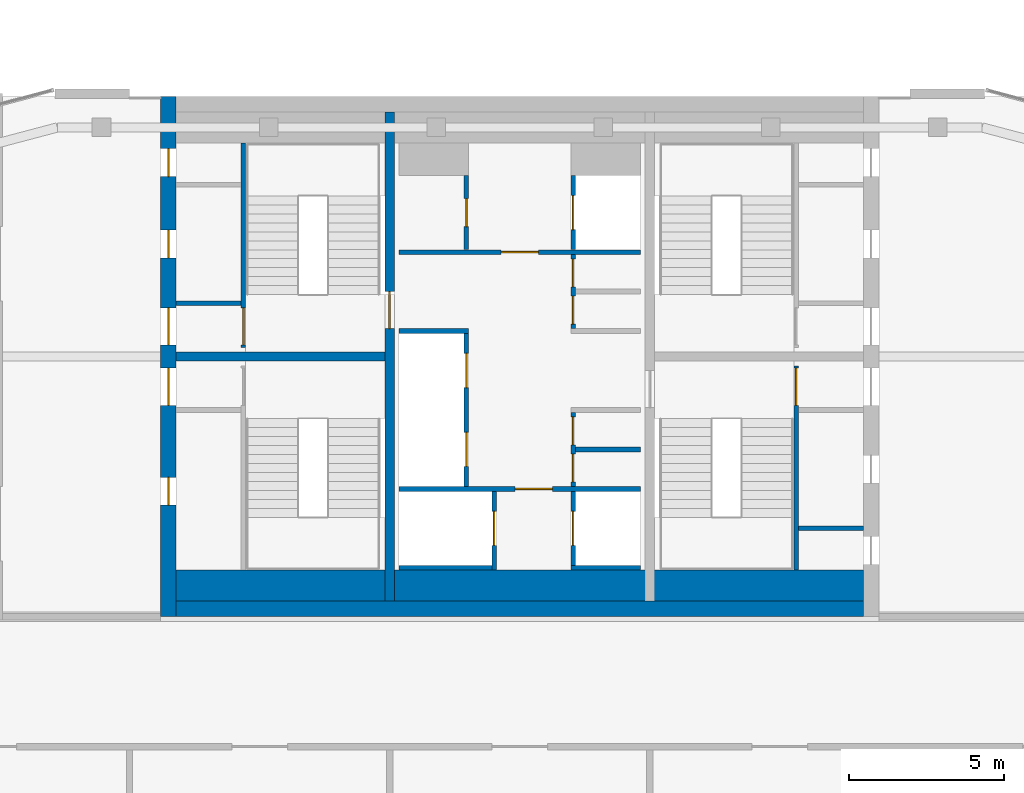
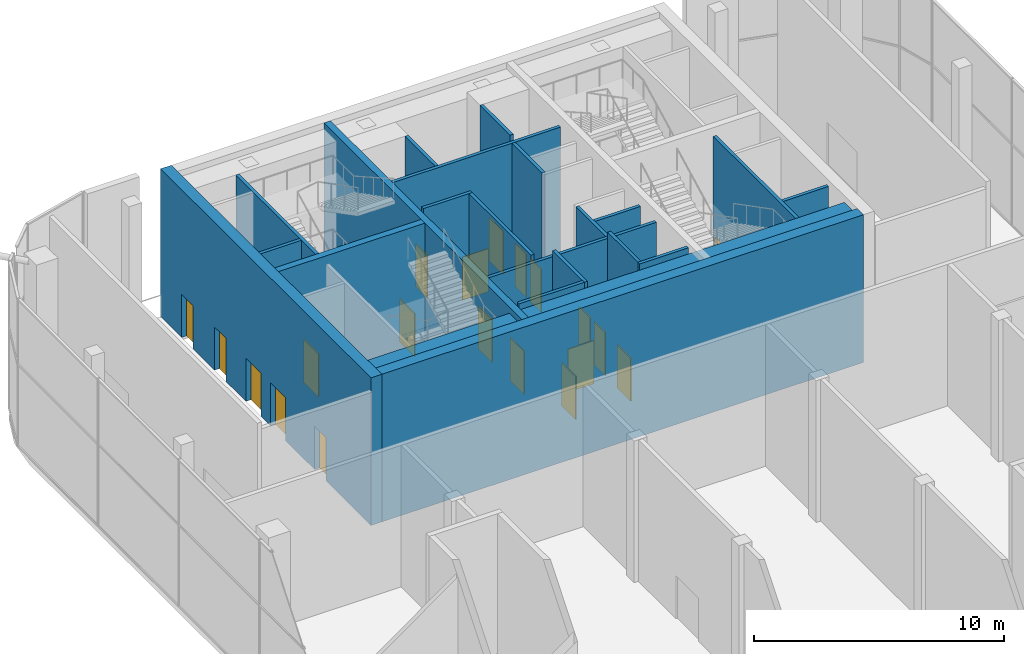
# One storey, part 19 of 23: 22 walls, 20 doors, 20 openings.
"""IFC4 building model written with IfcOpenShell, lengths in metres."""

from ifc_helpers import new_model, si_unit, direction, frame, frame_2d, origin, place, context, subcontext, project, spatial, rectangle, extrude, material, layer, layer_set, type_object, element, fill, save


model = new_model("IFC4")

# Units and contexts
model_context = context("Model", 3, precision=1e-05, world=origin(), true_north=direction((0.0, 1.0)))
body_context = subcontext(model_context, "Body", "Model", "MODEL_VIEW")
ifc_project = project(units=[si_unit("LENGTHUNIT", "METRE"), si_unit("AREAUNIT", "SQUARE_METRE"), si_unit("VOLUMEUNIT", "CUBIC_METRE"), si_unit("PLANEANGLEUNIT", "RADIAN"), si_unit("MASSUNIT", "GRAM", prefix="KILO")], contexts=[model_context])

# Site, building, storey
site_placement = place(None, origin())
site = spatial("IfcSite", under=ifc_project, at=site_placement, CompositionType="ELEMENT")
building_placement = place(site_placement, origin())
building = spatial("IfcBuilding", under=site, at=building_placement, Name="Marenta Gate Hotel Tower", CompositionType="ELEMENT")
storey_placement = place(building_placement, frame((0.0, 0.0, 288.5)))
storey = spatial("IfcBuildingStorey", under=building, at=storey_placement, Name="L66", CompositionType="ELEMENT", Elevation=288.5)

# Wall
ifc_material_1 = material(Name="Concrete C40", Category="concrete")
ifc_layer_1 = layer(ifc_material_1, 1.0)
ifc_layer_set_1 = layer_set([ifc_layer_1], Name="Concrete C40")
wall_type_1 = type_object("IfcWallType", Name="Core lining wall 1000 REI 180", PredefinedType="PARTITIONING", material=ifc_layer_set_1)
wall_1_placement = place(storey_placement, frame((-11.10009765625, 1.0, 0.0), z_axis=(0.0, 0.0, 1.0), x_axis=(1.0, 0.0, 0.0)))
element("IfcWall", 1, at=wall_1_placement, inside=storey, type_object=wall_type_1, Name="L66-CP-LN-S", PredefinedType="PARTITIONING", context=body_context, shape_type="SweptSolid", body=[
    extrude(rectangle(XDim=22.2001953125, YDim=1.0, at=frame_2d((11.10009765625, 0.0))), origin(), (0.0, 0.0, 1.0), 6.89990234375),
])

# Wall, opening, door
ifc_material_2 = material(Name="Concrete blockwork", Category="masonry")
ifc_layer_2 = layer(ifc_material_2, 0.14990234375)
ifc_layer_set_2 = layer_set([ifc_layer_2], Name="Concrete blockwork")
wall_type_2 = type_object("IfcWallType", Name="Core lobby partition 150 REI 180", PredefinedType="PARTITIONING", material=ifc_layer_set_2)
wall_2_placement = place(storey_placement, frame((-3.89990234375, 4.125, 0.0), z_axis=(0.0, 0.0, 1.0), x_axis=(1.0, 0.0, 0.0)))
wall_2 = element("IfcWall", 2, at=wall_2_placement, inside=storey, type_object=wall_type_2, Name="L66-CP-CW-S", PredefinedType="PARTITIONING", context=body_context, shape_type="SweptSolid", body=[
    extrude(rectangle(XDim=7.7998046875, YDim=0.14990234375, at=frame_2d((3.89990234375, 0.0))), origin(), (0.0, 0.0, 1.0), 6.89990234375),
])
opening_1_placement = place(wall_2_placement, frame((3.75, 0.0, 0.0)))
opening_1 = element("IfcOpeningElement", 3, at=opening_1_placement, cuts=wall_2, Name="Opening FD-FFS", PredefinedType="OPENING", context=body_context, shape_type="SweptSolid", body=[
    extrude(rectangle(XDim=1.199951171875, YDim=2.10009765625, at=frame_2d((0.60009765625, 1.050048828125))), frame((0.0, 0.074951171875, 0.0), z_axis=(0.0, -1.0, 0.0), x_axis=(1.0, 0.0, 0.0)), (0.0, 0.0, 1.0), 0.14990234375),
])
ifc_material_3 = material(Name="Steel", Category="steel")
door_type_1 = type_object("IfcDoorType", Name="Core lobby door 1200x2100 FD60", OperationType="SINGLE_SWING_LEFT", PredefinedType="DOOR", material=ifc_material_3)
door_1_placement = place(opening_1_placement, origin())
door_1 = element("IfcDoor", 4, at=door_1_placement, inside=storey, type_object=door_type_1, Name="FD-FFS", OperationType="SINGLE_SWING_LEFT", OverallHeight=2.10009765625, OverallWidth=1.199951171875, PredefinedType="DOOR", context=body_context, shape_type="SweptSolid", body=[
    extrude(rectangle(XDim=1.199951171875, YDim=2.10009765625, at=frame_2d((0.60009765625, 1.050048828125))), frame((0.0, 0.02490234375, 0.0), z_axis=(0.0, -1.0, 0.0), x_axis=(1.0, 0.0, 0.0)), (0.0, 0.0, 1.0), 0.050048828125),
])
fill(opening_1, door_1)

wall_3_placement = place(storey_placement, frame((-3.89990234375, 11.77490234375, 0.0), z_axis=(0.0, 0.0, 1.0), x_axis=(1.0, 0.0, 0.0)))
wall_3 = element("IfcWall", 5, at=wall_3_placement, inside=storey, type_object=wall_type_2, Name="L66-CP-CW-N", PredefinedType="PARTITIONING", context=body_context, shape_type="SweptSolid", body=[
    extrude(rectangle(XDim=7.7998046875, YDim=0.14990234375, at=frame_2d((3.89990234375, 0.0))), origin(), (0.0, 0.0, 1.0), 6.89990234375),
])
opening_2_placement = place(wall_3_placement, frame((3.300048828125, 0.0, 0.0)))
opening_2 = element("IfcOpeningElement", 6, at=opening_2_placement, cuts=wall_3, Name="Opening FD-FFN", PredefinedType="OPENING", context=body_context, shape_type="SweptSolid", body=[
    extrude(rectangle(XDim=1.199951171875, YDim=2.10009765625, at=frame_2d((0.60009765625, 1.050048828125))), frame((0.0, 0.074951171875, 0.0), z_axis=(0.0, -1.0, 0.0), x_axis=(1.0, 0.0, 0.0)), (0.0, 0.0, 1.0), 0.14990234375),
])
door_2_placement = place(opening_2_placement, origin())
door_2 = element("IfcDoor", 7, at=door_2_placement, inside=storey, type_object=door_type_1, Name="FD-FFN", OperationType="SINGLE_SWING_LEFT", OverallHeight=2.10009765625, OverallWidth=1.199951171875, PredefinedType="DOOR", context=body_context, shape_type="SweptSolid", body=[
    extrude(rectangle(XDim=1.199951171875, YDim=2.10009765625, at=frame_2d((0.60009765625, 1.050048828125))), frame((0.0, 0.02490234375, 0.0), z_axis=(0.0, -1.0, 0.0), x_axis=(1.0, 0.0, 0.0)), (0.0, 0.0, 1.0), 0.050048828125),
])
fill(opening_2, door_2)

# Walls
ifc_material_4 = material(Name="Concrete blockwork", Category="masonry")
ifc_layer_3 = layer(ifc_material_4, 0.14990234375)
ifc_layer_set_3 = layer_set([ifc_layer_3], Name="Concrete blockwork")
wall_type_3 = type_object("IfcWallType", Name="Core room partition 150 REI 180", PredefinedType="PARTITIONING", material=ifc_layer_set_3)
for number, where, z_axis, x_axis, name in (
    (8, (-11.10009765625, 10.125, 0.0), (0.0, 0.0, 1.0), (1.0, 0.0, 0.0), "L66-CP-SW-WN-2"),
    (9, (9.0, 2.85009765625, 0.0), (0.0, 0.0, 1.0), (1.0, 0.0, 0.0), "L66-CP-RW-ES-1"),
):
    element("IfcWall", number, at=place(storey_placement, frame(where, z_axis=z_axis, x_axis=x_axis)), inside=storey, type_object=wall_type_3, Name=name, PredefinedType="PARTITIONING", context=body_context, shape_type="SweptSolid", body=[
        extrude(rectangle(XDim=2.10009765625, YDim=0.14990234375, at=frame_2d((1.050048828125, 0.0))), origin(), (0.0, 0.0, 1.0), 6.89990234375),
    ])

# Wall, opening, door
wall_4_placement = place(storey_placement, frame((-1.72509765625, 11.85009765625, 0.0), z_axis=(0.0, 0.0, 1.0), x_axis=(0.0, 1.0, 0.0)))
wall_4 = element("IfcWall", 10, at=wall_4_placement, inside=storey, type_object=wall_type_3, Name="L66-CP-CW-W-riser-front", PredefinedType="PARTITIONING", context=body_context, shape_type="SweptSolid", body=[
    extrude(rectangle(XDim=2.39990234375, YDim=0.14990234375, at=frame_2d((1.199951171875, 0.0))), origin(), (0.0, 0.0, 1.0), 6.89990234375),
])
opening_3_placement = place(wall_4_placement, frame((0.75, 0.0, 0.0)))
opening_3 = element("IfcOpeningElement", 11, at=opening_3_placement, cuts=wall_4, Name="Opening RD-CRISER", PredefinedType="OPENING", context=body_context, shape_type="SweptSolid", body=[
    extrude(rectangle(XDim=0.89990234375, YDim=2.10009765625, at=frame_2d((0.449951171875, 1.050048828125))), frame((0.0, 0.074951171875, 0.0), z_axis=(0.0, -1.0, 0.0), x_axis=(1.0, 0.0, 0.0)), (0.0, 0.0, 1.0), 0.14990234375),
])
ifc_material_5 = material(Name="Steel", Category="steel")
door_type_2 = type_object("IfcDoorType", Name="Core riser door 900x2100 FD60", OperationType="SINGLE_SWING_LEFT", PredefinedType="DOOR", material=ifc_material_5)
door_3_placement = place(opening_3_placement, origin())
door_3 = element("IfcDoor", 12, at=door_3_placement, inside=storey, type_object=door_type_2, Name="RD-CRISER", OperationType="SINGLE_SWING_LEFT", OverallHeight=2.10009765625, OverallWidth=0.89990234375, PredefinedType="DOOR", context=body_context, shape_type="SweptSolid", body=[
    extrude(rectangle(XDim=0.89990234375, YDim=2.10009765625, at=frame_2d((0.449951171875, 1.050048828125))), frame((0.0, 0.02490234375, 0.0), z_axis=(0.0, -1.0, 0.0), x_axis=(1.0, 0.0, 0.0)), (0.0, 0.0, 1.0), 0.050048828125),
])
fill(opening_3, door_3)

# Wall, openings, doors
wall_5_placement = place(storey_placement, frame((1.72509765625, 4.199951171875, 0.0), z_axis=(0.0, 0.0, 1.0), x_axis=(0.0, 1.0, 0.0)))
wall_5 = element("IfcWall", 13, at=wall_5_placement, inside=storey, type_object=wall_type_3, Name="L66-CP-CE-front-1", PredefinedType="PARTITIONING", context=body_context, shape_type="SweptSolid", body=[
    extrude(rectangle(XDim=2.400146484375, YDim=0.14990234375, at=frame_2d((1.2001953125, 0.0))), origin(), (0.0, 0.0, 1.0), 6.89990234375),
])
opening_4_placement = place(wall_5_placement, frame((0.14990234375, 0.0, 0.0)))
opening_4 = element("IfcOpeningElement", 14, at=opening_4_placement, cuts=wall_5, Name="Opening RD-CE-1a", PredefinedType="OPENING", context=body_context, shape_type="SweptSolid", body=[
    extrude(rectangle(XDim=0.89990234375, YDim=2.10009765625, at=frame_2d((0.449951171875, 1.050048828125))), frame((0.0, 0.074951171875, 0.0), z_axis=(0.0, -1.0, 0.0), x_axis=(1.0, 0.0, 0.0)), (0.0, 0.0, 1.0), 0.14990234375),
])
opening_5_placement = place(wall_5_placement, frame((1.35009765625, 0.0, 0.0)))
opening_5 = element("IfcOpeningElement", 15, at=opening_5_placement, cuts=wall_5, Name="Opening RD-CE-1b-B", PredefinedType="OPENING", context=body_context, shape_type="SweptSolid", body=[
    extrude(rectangle(XDim=0.89990234375, YDim=2.10009765625, at=frame_2d((0.449951171875, 1.050048828125))), frame((0.0, 0.074951171875, 0.0), z_axis=(0.0, -1.0, 0.0), x_axis=(1.0, 0.0, 0.0)), (0.0, 0.0, 1.0), 0.14990234375),
])
ifc_material_6 = material(Name="Steel", Category="steel")
door_type_3 = type_object("IfcDoorType", Name="Core service room door 900x2100 FD30S", OperationType="SINGLE_SWING_LEFT", PredefinedType="DOOR", material=ifc_material_6)
door_4_placement = place(opening_4_placement, origin())
door_4 = element("IfcDoor", 16, at=door_4_placement, inside=storey, type_object=door_type_3, Name="RD-CE-1a", OperationType="SINGLE_SWING_LEFT", OverallHeight=2.10009765625, OverallWidth=0.89990234375, PredefinedType="DOOR", context=body_context, shape_type="SweptSolid", body=[
    extrude(rectangle(XDim=0.89990234375, YDim=2.10009765625, at=frame_2d((0.449951171875, 1.050048828125))), frame((0.0, 0.02490234375, 0.0), z_axis=(0.0, -1.0, 0.0), x_axis=(1.0, 0.0, 0.0)), (0.0, 0.0, 1.0), 0.050048828125),
])
fill(opening_4, door_4)
door_5_placement = place(opening_5_placement, origin())
door_5 = element("IfcDoor", 17, at=door_5_placement, inside=storey, type_object=door_type_3, Name="RD-CE-1b-B", OperationType="SINGLE_SWING_LEFT", OverallHeight=2.10009765625, OverallWidth=0.89990234375, PredefinedType="DOOR", context=body_context, shape_type="SweptSolid", body=[
    extrude(rectangle(XDim=0.89990234375, YDim=2.10009765625, at=frame_2d((0.449951171875, 1.050048828125))), frame((0.0, 0.02490234375, 0.0), z_axis=(0.0, -1.0, 0.0), x_axis=(1.0, 0.0, 0.0)), (0.0, 0.0, 1.0), 0.050048828125),
])
fill(opening_5, door_5)

wall_6_placement = place(storey_placement, frame((1.72509765625, 9.300048828125, 0.0), z_axis=(0.0, 0.0, 1.0), x_axis=(0.0, 1.0, 0.0)))
wall_6 = element("IfcWall", 18, at=wall_6_placement, inside=storey, type_object=wall_type_3, Name="L66-CP-CE-front-2", PredefinedType="PARTITIONING", context=body_context, shape_type="SweptSolid", body=[
    extrude(rectangle(XDim=2.39990234375, YDim=0.14990234375, at=frame_2d((1.199951171875, 0.0))), origin(), (0.0, 0.0, 1.0), 6.89990234375),
])
opening_6_placement = place(wall_6_placement, frame((0.14990234375, 0.0, 0.0)))
opening_6 = element("IfcOpeningElement", 19, at=opening_6_placement, cuts=wall_6, Name="Opening RD-CE-2a", PredefinedType="OPENING", context=body_context, shape_type="SweptSolid", body=[
    extrude(rectangle(XDim=0.89990234375, YDim=2.10009765625, at=frame_2d((0.449951171875, 1.050048828125))), frame((0.0, 0.074951171875, 0.0), z_axis=(0.0, -1.0, 0.0), x_axis=(1.0, 0.0, 0.0)), (0.0, 0.0, 1.0), 0.14990234375),
])
opening_7_placement = place(wall_6_placement, frame((1.35009765625, 0.0, 0.0)))
opening_7 = element("IfcOpeningElement", 20, at=opening_7_placement, cuts=wall_6, Name="Opening RD-CE-2b-B", PredefinedType="OPENING", context=body_context, shape_type="SweptSolid", body=[
    extrude(rectangle(XDim=0.89990234375, YDim=2.10009765625, at=frame_2d((0.449951171875, 1.050048828125))), frame((0.0, 0.074951171875, 0.0), z_axis=(0.0, -1.0, 0.0), x_axis=(1.0, 0.0, 0.0)), (0.0, 0.0, 1.0), 0.14990234375),
])
door_6_placement = place(opening_6_placement, origin())
door_6 = element("IfcDoor", 21, at=door_6_placement, inside=storey, type_object=door_type_3, Name="RD-CE-2a", OperationType="SINGLE_SWING_LEFT", OverallHeight=2.10009765625, OverallWidth=0.89990234375, PredefinedType="DOOR", context=body_context, shape_type="SweptSolid", body=[
    extrude(rectangle(XDim=0.89990234375, YDim=2.10009765625, at=frame_2d((0.449951171875, 1.050048828125))), frame((0.0, 0.02490234375, 0.0), z_axis=(0.0, -1.0, 0.0), x_axis=(1.0, 0.0, 0.0)), (0.0, 0.0, 1.0), 0.050048828125),
])
fill(opening_6, door_6)
door_7_placement = place(opening_7_placement, origin())
door_7 = element("IfcDoor", 22, at=door_7_placement, inside=storey, type_object=door_type_3, Name="RD-CE-2b-B", OperationType="SINGLE_SWING_LEFT", OverallHeight=2.10009765625, OverallWidth=0.89990234375, PredefinedType="DOOR", context=body_context, shape_type="SweptSolid", body=[
    extrude(rectangle(XDim=0.89990234375, YDim=2.10009765625, at=frame_2d((0.449951171875, 1.050048828125))), frame((0.0, 0.02490234375, 0.0), z_axis=(0.0, -1.0, 0.0), x_axis=(1.0, 0.0, 0.0)), (0.0, 0.0, 1.0), 0.050048828125),
])
fill(opening_7, door_7)

# Wall
wall_7_placement = place(storey_placement, frame((1.800048828125, 5.39990234375, 0.0), z_axis=(0.0, 0.0, 1.0), x_axis=(1.0, 0.0, 0.0)))
element("IfcWall", 23, at=wall_7_placement, inside=storey, type_object=wall_type_3, Name="L66-CP-CE-RW-1", PredefinedType="PARTITIONING", context=body_context, shape_type="SweptSolid", body=[
    extrude(rectangle(XDim=2.099853515625, YDim=0.14990234375, at=frame_2d((1.0498046875, 0.0))), origin(), (0.0, 0.0, 1.0), 6.89990234375),
])

# Wall, opening, door
ifc_material_7 = material(Name="Concrete C40", Category="concrete")
ifc_layer_4 = layer(ifc_material_7, 0.14990234375)
ifc_layer_set_4 = layer_set([ifc_layer_4], Name="Concrete C40")
wall_type_4 = type_object("IfcWallType", Name="Core shaft wall 150 REI 180", PredefinedType="SHEAR", material=ifc_layer_set_4)
wall_8_placement = place(storey_placement, frame((-0.824951171875, 1.5, 0.0), z_axis=(0.0, 0.0, 1.0), x_axis=(0.0, 1.0, 0.0)))
wall_8 = element("IfcWall", 24, at=wall_8_placement, inside=storey, type_object=wall_type_4, Name="L66-SHF-CW-W-ff", PredefinedType="SHEAR", context=body_context, shape_type="SweptSolid", body=[
    extrude(rectangle(XDim=2.550048828125, YDim=0.14990234375, at=frame_2d((1.27490234375, 0.0))), origin(), (0.0, 0.0, 1.0), 7.199951171875),
])
opening_8_placement = place(wall_8_placement, frame((0.800048828125, 0.0, 0.0)))
opening_8 = element("IfcOpeningElement", 25, at=opening_8_placement, cuts=wall_8, Name="Opening LD-FF1", PredefinedType="OPENING", context=body_context, shape_type="SweptSolid", body=[
    extrude(rectangle(XDim=1.10009765625, YDim=2.10009765625, at=frame_2d((0.550048828125, 1.050048828125))), frame((0.0, 0.074951171875, 0.0), z_axis=(0.0, -1.0, 0.0), x_axis=(1.0, 0.0, 0.0)), (0.0, 0.0, 1.0), 0.14990234375),
])
ifc_material_8 = material(Name="Steel", Category="steel")
door_type_4 = type_object("IfcDoorType", Name="Core lift landing door 1100x2100 E 60", OperationType="SLIDING_TO_LEFT", PredefinedType="DOOR", material=ifc_material_8)
door_8_placement = place(opening_8_placement, origin())
door_8 = element("IfcDoor", 26, at=door_8_placement, inside=storey, type_object=door_type_4, Name="LD-FF1", OperationType="SLIDING_TO_LEFT", OverallHeight=2.10009765625, OverallWidth=1.10009765625, PredefinedType="DOOR", context=body_context, shape_type="SweptSolid", body=[
    extrude(rectangle(XDim=1.10009765625, YDim=2.10009765625, at=frame_2d((0.550048828125, 1.050048828125))), frame((0.0, 0.02490234375, 0.0), z_axis=(0.0, -1.0, 0.0), x_axis=(1.0, 0.0, 0.0)), (0.0, 0.0, 1.0), 0.050048828125),
])
fill(opening_8, door_8)

# Wall
wall_9_placement = place(storey_placement, frame((-3.89990234375, 1.574951171875, 0.0), z_axis=(0.0, 0.0, 1.0), x_axis=(1.0, 0.0, 0.0)))
element("IfcWall", 27, at=wall_9_placement, inside=storey, type_object=wall_type_4, Name="L66-SHF-CW-W-ffs", PredefinedType="SHEAR", context=body_context, shape_type="SweptSolid", body=[
    extrude(rectangle(XDim=3.0, YDim=0.14990234375, at=frame_2d((1.5, 0.0))), origin(), (0.0, 0.0, 1.0), 7.199951171875),
])

# Wall, openings, doors
wall_10_placement = place(storey_placement, frame((-1.72509765625, 4.199951171875, 0.0), z_axis=(0.0, 0.0, 1.0), x_axis=(0.0, 1.0, 0.0)))
wall_10 = element("IfcWall", 28, at=wall_10_placement, inside=storey, type_object=wall_type_4, Name="L66-SHF-CW-W-front", PredefinedType="SHEAR", context=body_context, shape_type="SweptSolid", body=[
    extrude(rectangle(XDim=4.949951171875, YDim=0.14990234375, at=frame_2d((2.47509765625, 0.0))), origin(), (0.0, 0.0, 1.0), 7.199951171875),
])
opening_9_placement = place(wall_10_placement, frame((0.64990234375, 0.0, 0.0)))
opening_9 = element("IfcOpeningElement", 29, at=opening_9_placement, cuts=wall_10, Name="Opening LD-OB1", PredefinedType="OPENING", context=body_context, shape_type="SweptSolid", body=[
    extrude(rectangle(XDim=1.10009765625, YDim=2.10009765625, at=frame_2d((0.550048828125, 1.050048828125))), frame((0.0, 0.074951171875, 0.0), z_axis=(0.0, -1.0, 0.0), x_axis=(1.0, 0.0, 0.0)), (0.0, 0.0, 1.0), 0.14990234375),
])
opening_10_placement = place(wall_10_placement, frame((3.199951171875, 0.0, 0.0)))
opening_10 = element("IfcOpeningElement", 30, at=opening_10_placement, cuts=wall_10, Name="Opening LD-OB2", PredefinedType="OPENING", context=body_context, shape_type="SweptSolid", body=[
    extrude(rectangle(XDim=1.10009765625, YDim=2.10009765625, at=frame_2d((0.550048828125, 1.050048828125))), frame((0.0, 0.074951171875, 0.0), z_axis=(0.0, -1.0, 0.0), x_axis=(1.0, 0.0, 0.0)), (0.0, 0.0, 1.0), 0.14990234375),
])
door_9_placement = place(opening_9_placement, origin())
door_9 = element("IfcDoor", 31, at=door_9_placement, inside=storey, type_object=door_type_4, Name="LD-OB1", OperationType="SLIDING_TO_LEFT", OverallHeight=2.10009765625, OverallWidth=1.10009765625, PredefinedType="DOOR", context=body_context, shape_type="SweptSolid", body=[
    extrude(rectangle(XDim=1.10009765625, YDim=2.10009765625, at=frame_2d((0.550048828125, 1.050048828125))), frame((0.0, 0.02490234375, 0.0), z_axis=(0.0, -1.0, 0.0), x_axis=(1.0, 0.0, 0.0)), (0.0, 0.0, 1.0), 0.050048828125),
])
fill(opening_9, door_9)
door_10_placement = place(opening_10_placement, origin())
door_10 = element("IfcDoor", 32, at=door_10_placement, inside=storey, type_object=door_type_4, Name="LD-OB2", OperationType="SLIDING_TO_LEFT", OverallHeight=2.10009765625, OverallWidth=1.10009765625, PredefinedType="DOOR", context=body_context, shape_type="SweptSolid", body=[
    extrude(rectangle(XDim=1.10009765625, YDim=2.10009765625, at=frame_2d((0.550048828125, 1.050048828125))), frame((0.0, 0.02490234375, 0.0), z_axis=(0.0, -1.0, 0.0), x_axis=(1.0, 0.0, 0.0)), (0.0, 0.0, 1.0), 0.050048828125),
])
fill(opening_10, door_10)

# Wall
wall_11_placement = place(storey_placement, frame((-3.89990234375, 9.22509765625, 0.0), z_axis=(0.0, 0.0, 1.0), x_axis=(1.0, 0.0, 0.0)))
element("IfcWall", 33, at=wall_11_placement, inside=storey, type_object=wall_type_4, Name="L66-SHF-CW-W-sep", PredefinedType="SHEAR", context=body_context, shape_type="SweptSolid", body=[
    extrude(rectangle(XDim=2.25, YDim=0.14990234375, at=frame_2d((1.125, 0.0))), origin(), (0.0, 0.0, 1.0), 7.199951171875),
])

# Wall, opening, door
wall_12_placement = place(storey_placement, frame((1.72509765625, 1.64990234375, 0.0), z_axis=(0.0, 0.0, 1.0), x_axis=(0.0, 1.0, 0.0)))
wall_12 = element("IfcWall", 34, at=wall_12_placement, inside=storey, type_object=wall_type_4, Name="L66-SHF-CE-S-ls", PredefinedType="SHEAR", context=body_context, shape_type="SweptSolid", body=[
    extrude(rectangle(XDim=2.400146484375, YDim=0.14990234375, at=frame_2d((1.2001953125, 0.0))), origin(), (0.0, 0.0, 1.0), 7.199951171875),
])
opening_11_placement = place(wall_12_placement, frame((0.64990234375, 0.0, 0.0)))
opening_11 = element("IfcOpeningElement", 35, at=opening_11_placement, cuts=wall_12, Name="Opening LD-SV1", PredefinedType="OPENING", context=body_context, shape_type="SweptSolid", body=[
    extrude(rectangle(XDim=1.10009765625, YDim=2.10009765625, at=frame_2d((0.550048828125, 1.050048828125))), frame((0.0, 0.074951171875, 0.0), z_axis=(0.0, -1.0, 0.0), x_axis=(1.0, 0.0, 0.0)), (0.0, 0.0, 1.0), 0.14990234375),
])
door_11_placement = place(opening_11_placement, origin())
door_11 = element("IfcDoor", 36, at=door_11_placement, inside=storey, type_object=door_type_4, Name="LD-SV1", OperationType="SLIDING_TO_LEFT", OverallHeight=2.10009765625, OverallWidth=1.10009765625, PredefinedType="DOOR", context=body_context, shape_type="SweptSolid", body=[
    extrude(rectangle(XDim=1.10009765625, YDim=2.10009765625, at=frame_2d((0.550048828125, 1.050048828125))), frame((0.0, 0.02490234375, 0.0), z_axis=(0.0, -1.0, 0.0), x_axis=(1.0, 0.0, 0.0)), (0.0, 0.0, 1.0), 0.050048828125),
])
fill(opening_11, door_11)

# Wall
wall_13_placement = place(storey_placement, frame((1.64990234375, 1.574951171875, 0.0), z_axis=(0.0, 0.0, 1.0), x_axis=(1.0, 0.0, 0.0)))
element("IfcWall", 37, at=wall_13_placement, inside=storey, type_object=wall_type_4, Name="L66-SHF-CE-S-bot", PredefinedType="SHEAR", context=body_context, shape_type="SweptSolid", body=[
    extrude(rectangle(XDim=2.25, YDim=0.14990234375, at=frame_2d((1.125, 0.0))), origin(), (0.0, 0.0, 1.0), 7.199951171875),
])

# Wall, opening, door
wall_14_placement = place(storey_placement, frame((1.72509765625, 11.85009765625, 0.0), z_axis=(0.0, 0.0, 1.0), x_axis=(0.0, 1.0, 0.0)))
wall_14 = element("IfcWall", 38, at=wall_14_placement, inside=storey, type_object=wall_type_4, Name="L66-SHF-CE-N-front2", PredefinedType="SHEAR", context=body_context, shape_type="SweptSolid", body=[
    extrude(rectangle(XDim=2.39990234375, YDim=0.14990234375, at=frame_2d((1.199951171875, 0.0))), origin(), (0.0, 0.0, 1.0), 7.199951171875),
])
opening_12_placement = place(wall_14_placement, frame((0.64990234375, 0.0, 0.0)))
opening_12 = element("IfcOpeningElement", 39, at=opening_12_placement, cuts=wall_14, Name="Opening LD-FF2", PredefinedType="OPENING", context=body_context, shape_type="SweptSolid", body=[
    extrude(rectangle(XDim=1.10009765625, YDim=2.10009765625, at=frame_2d((0.550048828125, 1.050048828125))), frame((0.0, 0.074951171875, 0.0), z_axis=(0.0, -1.0, 0.0), x_axis=(1.0, 0.0, 0.0)), (0.0, 0.0, 1.0), 0.14990234375),
])
door_12_placement = place(opening_12_placement, origin())
door_12 = element("IfcDoor", 40, at=door_12_placement, inside=storey, type_object=door_type_4, Name="LD-FF2", OperationType="SLIDING_TO_LEFT", OverallHeight=2.10009765625, OverallWidth=1.10009765625, PredefinedType="DOOR", context=body_context, shape_type="SweptSolid", body=[
    extrude(rectangle(XDim=1.10009765625, YDim=2.10009765625, at=frame_2d((0.550048828125, 1.050048828125))), frame((0.0, 0.02490234375, 0.0), z_axis=(0.0, -1.0, 0.0), x_axis=(1.0, 0.0, 0.0)), (0.0, 0.0, 1.0), 0.050048828125),
])
fill(opening_12, door_12)

ifc_material_9 = material(Name="Concrete C40", Category="concrete")
ifc_layer_5 = layer(ifc_material_9, 0.14990234375)
ifc_layer_set_5 = layer_set([ifc_layer_5], Name="Concrete C40")
wall_type_5 = type_object("IfcWallType", Name="Core stair enclosure wall 150 REI 180", PredefinedType="SHEAR", material=ifc_layer_set_5)
wall_15_placement = place(storey_placement, frame((-8.925048828125, 8.699951171875, 0.0), z_axis=(0.0, 0.0, 1.0), x_axis=(0.0, 1.0, 0.0)))
wall_15 = element("IfcWall", 41, at=wall_15_placement, inside=storey, type_object=wall_type_5, Name="L66-SHF-SW-WN-3", PredefinedType="SHEAR", context=body_context, shape_type="SweptSolid", body=[
    extrude(rectangle(XDim=6.60009765625, YDim=0.14990234375, at=frame_2d((3.300048828125, 0.0))), origin(), (0.0, 0.0, 1.0), 6.89990234375),
])
opening_13_placement = place(wall_15_placement, frame((0.074951171875, 0.0, 0.0)))
opening_13 = element("IfcOpeningElement", 42, at=opening_13_placement, cuts=wall_15, Name="Opening SD-WN", PredefinedType="OPENING", context=body_context, shape_type="SweptSolid", body=[
    extrude(rectangle(XDim=1.199951171875, YDim=2.10009765625, at=frame_2d((0.60009765625, 1.050048828125))), frame((0.0, 0.074951171875, 0.0), z_axis=(0.0, -1.0, 0.0), x_axis=(1.0, 0.0, 0.0)), (0.0, 0.0, 1.0), 0.14990234375),
])
ifc_material_10 = material(Name="Steel", Category="steel")
door_type_5 = type_object("IfcDoorType", Name="Core stair door 1200x2100 FD60", OperationType="SINGLE_SWING_LEFT", PredefinedType="DOOR", material=ifc_material_10)
door_13_placement = place(opening_13_placement, origin())
door_13 = element("IfcDoor", 43, at=door_13_placement, inside=storey, type_object=door_type_5, Name="SD-WN", OperationType="SINGLE_SWING_LEFT", OverallHeight=2.10009765625, OverallWidth=1.199951171875, PredefinedType="DOOR", context=body_context, shape_type="SweptSolid", body=[
    extrude(rectangle(XDim=1.199951171875, YDim=2.10009765625, at=frame_2d((0.60009765625, 1.050048828125))), frame((0.0, 0.02490234375, 0.0), z_axis=(0.0, -1.0, 0.0), x_axis=(1.0, 0.0, 0.0)), (0.0, 0.0, 1.0), 0.050048828125),
])
fill(opening_13, door_13)

wall_16_placement = place(storey_placement, frame((8.925048828125, 1.5, 0.0), z_axis=(0.0, 0.0, 1.0), x_axis=(0.0, 1.0, 0.0)))
wall_16 = element("IfcWall", 44, at=wall_16_placement, inside=storey, type_object=wall_type_5, Name="L66-SHF-SW-ES-3", PredefinedType="SHEAR", context=body_context, shape_type="SweptSolid", body=[
    extrude(rectangle(XDim=6.60009765625, YDim=0.14990234375, at=frame_2d((3.300048828125, 0.0))), origin(), (0.0, 0.0, 1.0), 6.89990234375),
])
opening_14_placement = place(wall_16_placement, frame((5.324951171875, 0.0, 0.0)))
opening_14 = element("IfcOpeningElement", 45, at=opening_14_placement, cuts=wall_16, Name="Opening SD-ES", PredefinedType="OPENING", context=body_context, shape_type="SweptSolid", body=[
    extrude(rectangle(XDim=1.199951171875, YDim=2.10009765625, at=frame_2d((0.60009765625, 1.050048828125))), frame((0.0, 0.074951171875, 0.0), z_axis=(0.0, -1.0, 0.0), x_axis=(1.0, 0.0, 0.0)), (0.0, 0.0, 1.0), 0.14990234375),
])
door_14_placement = place(opening_14_placement, origin())
door_14 = element("IfcDoor", 46, at=door_14_placement, inside=storey, type_object=door_type_5, Name="SD-ES", OperationType="SINGLE_SWING_LEFT", OverallHeight=2.10009765625, OverallWidth=1.199951171875, PredefinedType="DOOR", context=body_context, shape_type="SweptSolid", body=[
    extrude(rectangle(XDim=1.199951171875, YDim=2.10009765625, at=frame_2d((0.60009765625, 1.050048828125))), frame((0.0, 0.02490234375, 0.0), z_axis=(0.0, -1.0, 0.0), x_axis=(1.0, 0.0, 0.0)), (0.0, 0.0, 1.0), 0.050048828125),
])
fill(opening_14, door_14)

# Wall, openings, doors
ifc_material_11 = material(Name="Concrete C50", Category="concrete")
ifc_layer_6 = layer(ifc_material_11, 0.5)
ifc_layer_set_6 = layer_set([ifc_layer_6], Name="Concrete C50")
wall_type_6 = type_object("IfcWallType", Name="Core wall 500 C50", PredefinedType="SHEAR", material=ifc_layer_set_6)
wall_17_placement = place(storey_placement, frame((-11.35009765625, 0.0, 0.0), z_axis=(0.0, 0.0, 1.0), x_axis=(0.0, 1.0, 0.0)))
wall_17 = element("IfcWall", 47, at=wall_17_placement, inside=storey, type_object=wall_type_6, Name="L66-CORE-W", PredefinedType="SHEAR", context=body_context, shape_type="SweptSolid", body=[
    extrude(rectangle(XDim=16.800048828125, YDim=0.5, at=frame_2d((8.39990234375, 0.0))), origin(), (0.0, 0.0, 1.0), 7.199951171875),
])
opening_15_placement = place(wall_17_placement, frame((3.60009765625, 0.0, 0.0)))
opening_15 = element("IfcOpeningElement", 48, at=opening_15_placement, cuts=wall_17, Name="Opening RD-WS-1", PredefinedType="OPENING", context=body_context, shape_type="SweptSolid", body=[
    extrude(rectangle(XDim=0.89990234375, YDim=2.10009765625, at=frame_2d((0.449951171875, 1.050048828125))), frame((0.0, 0.25, 0.0), z_axis=(0.0, -1.0, 0.0), x_axis=(1.0, 0.0, 0.0)), (0.0, 0.0, 1.0), 0.5),
])
opening_16_placement = place(wall_17_placement, frame((6.824951171875, 0.0, 0.0)))
opening_16 = element("IfcOpeningElement", 49, at=opening_16_placement, cuts=wall_17, Name="Opening PD-WS", PredefinedType="OPENING", context=body_context, shape_type="SweptSolid", body=[
    extrude(rectangle(XDim=1.199951171875, YDim=2.10009765625, at=frame_2d((0.60009765625, 1.050048828125))), frame((0.0, 0.25, 0.0), z_axis=(0.0, -1.0, 0.0), x_axis=(1.0, 0.0, 0.0)), (0.0, 0.0, 1.0), 0.5),
])
opening_17_placement = place(wall_17_placement, frame((14.21240234375, 0.0, 0.0)))
opening_17 = element("IfcOpeningElement", 50, at=opening_17_placement, cuts=wall_17, Name="Opening RD-WN-1", PredefinedType="OPENING", context=body_context, shape_type="SweptSolid", body=[
    extrude(rectangle(XDim=0.89990234375, YDim=2.10009765625, at=frame_2d((0.449951171875, 1.050048828125))), frame((0.0, 0.25, 0.0), z_axis=(0.0, -1.0, 0.0), x_axis=(1.0, 0.0, 0.0)), (0.0, 0.0, 1.0), 0.5),
])
opening_18_placement = place(wall_17_placement, frame((11.58740234375, 0.0, 0.0)))
opening_18 = element("IfcOpeningElement", 51, at=opening_18_placement, cuts=wall_17, Name="Opening RD-WN-2", PredefinedType="OPENING", context=body_context, shape_type="SweptSolid", body=[
    extrude(rectangle(XDim=0.89990234375, YDim=2.10009765625, at=frame_2d((0.449951171875, 1.050048828125))), frame((0.0, 0.25, 0.0), z_axis=(0.0, -1.0, 0.0), x_axis=(1.0, 0.0, 0.0)), (0.0, 0.0, 1.0), 0.5),
])
opening_19_placement = place(wall_17_placement, frame((8.77490234375, 0.0, 0.0)))
opening_19 = element("IfcOpeningElement", 52, at=opening_19_placement, cuts=wall_17, Name="Opening PD-WN", PredefinedType="OPENING", context=body_context, shape_type="SweptSolid", body=[
    extrude(rectangle(XDim=1.199951171875, YDim=2.10009765625, at=frame_2d((0.60009765625, 1.050048828125))), frame((0.0, 0.25, 0.0), z_axis=(0.0, -1.0, 0.0), x_axis=(1.0, 0.0, 0.0)), (0.0, 0.0, 1.0), 0.5),
])
door_15_placement = place(opening_16_placement, origin())
door_15 = element("IfcDoor", 53, at=door_15_placement, inside=storey, type_object=door_type_1, Name="PD-WS", OperationType="SINGLE_SWING_LEFT", OverallHeight=2.10009765625, OverallWidth=1.199951171875, PredefinedType="DOOR", context=body_context, shape_type="SweptSolid", body=[
    extrude(rectangle(XDim=1.199951171875, YDim=2.10009765625, at=frame_2d((0.60009765625, 1.050048828125))), frame((0.0, 0.02490234375, 0.0), z_axis=(0.0, -1.0, 0.0), x_axis=(1.0, 0.0, 0.0)), (0.0, 0.0, 1.0), 0.050048828125),
])
fill(opening_16, door_15)
door_16_placement = place(opening_19_placement, origin())
door_16 = element("IfcDoor", 54, at=door_16_placement, inside=storey, type_object=door_type_1, Name="PD-WN", OperationType="SINGLE_SWING_LEFT", OverallHeight=2.10009765625, OverallWidth=1.199951171875, PredefinedType="DOOR", context=body_context, shape_type="SweptSolid", body=[
    extrude(rectangle(XDim=1.199951171875, YDim=2.10009765625, at=frame_2d((0.60009765625, 1.050048828125))), frame((0.0, 0.02490234375, 0.0), z_axis=(0.0, -1.0, 0.0), x_axis=(1.0, 0.0, 0.0)), (0.0, 0.0, 1.0), 0.050048828125),
])
fill(opening_19, door_16)
door_17_placement = place(opening_15_placement, origin())
door_17 = element("IfcDoor", 55, at=door_17_placement, inside=storey, type_object=door_type_3, Name="RD-WS-1", OperationType="SINGLE_SWING_LEFT", OverallHeight=2.10009765625, OverallWidth=0.89990234375, PredefinedType="DOOR", context=body_context, shape_type="SweptSolid", body=[
    extrude(rectangle(XDim=0.89990234375, YDim=2.10009765625, at=frame_2d((0.449951171875, 1.050048828125))), frame((0.0, 0.02490234375, 0.0), z_axis=(0.0, -1.0, 0.0), x_axis=(1.0, 0.0, 0.0)), (0.0, 0.0, 1.0), 0.050048828125),
])
fill(opening_15, door_17)
door_18_placement = place(opening_17_placement, origin())
door_18 = element("IfcDoor", 56, at=door_18_placement, inside=storey, type_object=door_type_3, Name="RD-WN-1", OperationType="SINGLE_SWING_LEFT", OverallHeight=2.10009765625, OverallWidth=0.89990234375, PredefinedType="DOOR", context=body_context, shape_type="SweptSolid", body=[
    extrude(rectangle(XDim=0.89990234375, YDim=2.10009765625, at=frame_2d((0.449951171875, 1.050048828125))), frame((0.0, 0.02490234375, 0.0), z_axis=(0.0, -1.0, 0.0), x_axis=(1.0, 0.0, 0.0)), (0.0, 0.0, 1.0), 0.050048828125),
])
fill(opening_17, door_18)
door_19_placement = place(opening_18_placement, origin())
door_19 = element("IfcDoor", 57, at=door_19_placement, inside=storey, type_object=door_type_3, Name="RD-WN-2", OperationType="SINGLE_SWING_LEFT", OverallHeight=2.10009765625, OverallWidth=0.89990234375, PredefinedType="DOOR", context=body_context, shape_type="SweptSolid", body=[
    extrude(rectangle(XDim=0.89990234375, YDim=2.10009765625, at=frame_2d((0.449951171875, 1.050048828125))), frame((0.0, 0.02490234375, 0.0), z_axis=(0.0, -1.0, 0.0), x_axis=(1.0, 0.0, 0.0)), (0.0, 0.0, 1.0), 0.050048828125),
])
fill(opening_18, door_19)

# Wall
wall_18_placement = place(storey_placement, frame((-11.10009765625, 0.25, 0.0), z_axis=(0.0, 0.0, 1.0), x_axis=(1.0, 0.0, 0.0)))
element("IfcWall", 58, at=wall_18_placement, inside=storey, type_object=wall_type_6, Name="L66-CORE-S", PredefinedType="SHEAR", context=body_context, shape_type="SweptSolid", body=[
    extrude(rectangle(XDim=22.2001953125, YDim=0.5, at=frame_2d((11.10009765625, 0.0))), origin(), (0.0, 0.0, 1.0), 7.199951171875),
])

# Wall, opening, door
ifc_material_12 = material(Name="Concrete C50", Category="concrete")
ifc_layer_7 = layer(ifc_material_12, 0.300048828125)
ifc_layer_set_7 = layer_set([ifc_layer_7], Name="Concrete C50")
wall_type_7 = type_object("IfcWallType", Name="Core web 300 C50", PredefinedType="SHEAR", material=ifc_layer_set_7)
wall_19_placement = place(storey_placement, frame((-4.199951171875, 0.5, 0.0), z_axis=(0.0, 0.0, 1.0), x_axis=(0.0, 1.0, 0.0)))
wall_19 = element("IfcWall", 59, at=wall_19_placement, inside=storey, type_object=wall_type_7, Name="L66-CORE-W1", PredefinedType="SHEAR", context=body_context, shape_type="SweptSolid", body=[
    extrude(rectangle(XDim=15.800048828125, YDim=0.300048828125, at=frame_2d((7.89990234375, 0.0))), origin(), (0.0, 0.0, 1.0), 7.199951171875),
])
opening_20_placement = place(wall_19_placement, frame((8.800048828125, 0.0, 0.0)))
opening_20 = element("IfcOpeningElement", 60, at=opening_20_placement, cuts=wall_19, Name="Opening WD-W", PredefinedType="OPENING", context=body_context, shape_type="SweptSolid", body=[
    extrude(rectangle(XDim=1.199951171875, YDim=2.10009765625, at=frame_2d((0.60009765625, 1.050048828125))), frame((0.0, 0.14990234375, 0.0), z_axis=(0.0, -1.0, 0.0), x_axis=(1.0, 0.0, 0.0)), (0.0, 0.0, 1.0), 0.300048828125),
])
door_20_placement = place(opening_20_placement, origin())
door_20 = element("IfcDoor", 61, at=door_20_placement, inside=storey, type_object=door_type_5, Name="WD-W", OperationType="SINGLE_SWING_LEFT", OverallHeight=2.10009765625, OverallWidth=1.199951171875, PredefinedType="DOOR", context=body_context, shape_type="SweptSolid", body=[
    extrude(rectangle(XDim=1.199951171875, YDim=2.10009765625, at=frame_2d((0.60009765625, 1.050048828125))), frame((0.0, 0.02490234375, 0.0), z_axis=(0.0, -1.0, 0.0), x_axis=(1.0, 0.0, 0.0)), (0.0, 0.0, 1.0), 0.050048828125),
])
fill(opening_20, door_20)

# Wall
wall_20_placement = place(storey_placement, frame((-11.10009765625, 8.39990234375, 0.0), z_axis=(0.0, 0.0, 1.0), x_axis=(1.0, 0.0, 0.0)))
element("IfcWall", 62, at=wall_20_placement, inside=storey, type_object=wall_type_7, Name="L66-CORE-W3", PredefinedType="SHEAR", context=body_context, shape_type="SweptSolid", body=[
    extrude(rectangle(XDim=6.75, YDim=0.300048828125, at=frame_2d((3.375, 0.0))), origin(), (0.0, 0.0, 1.0), 7.199951171875),
])

save(model, "model.ifc")
